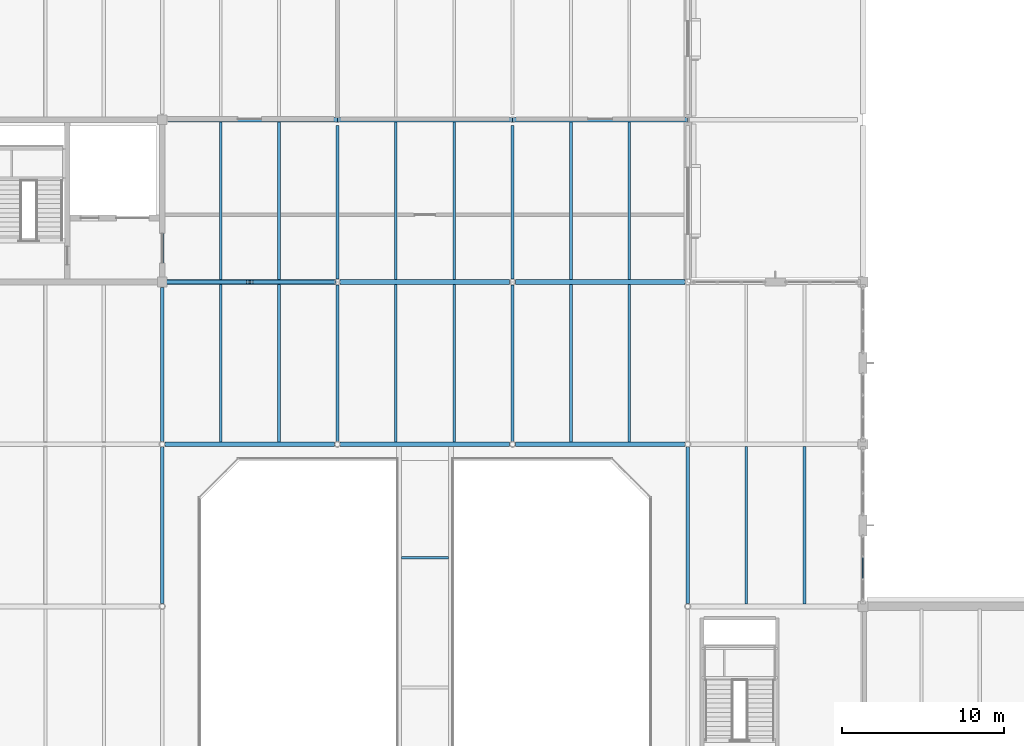
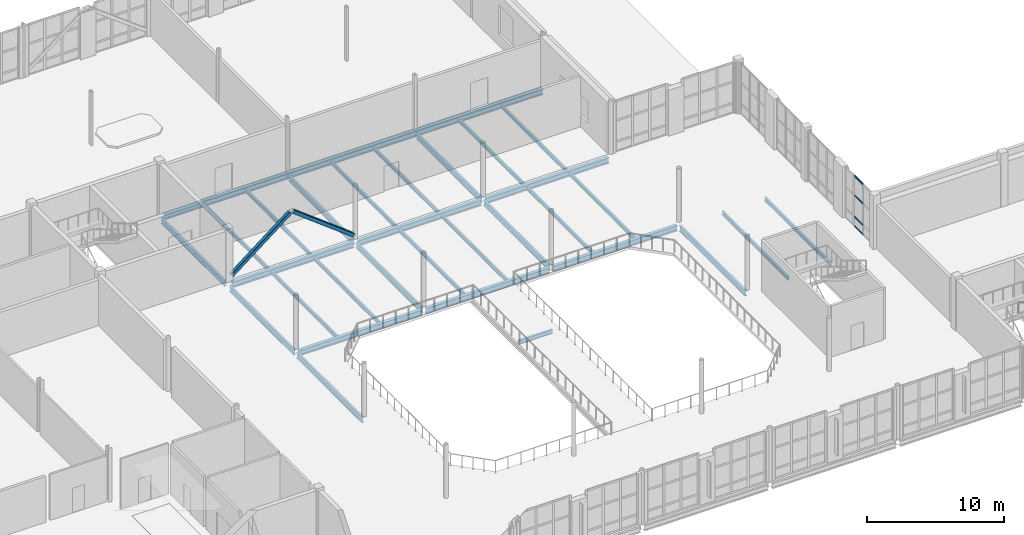
# One storey, part 50 of 100: 32 beams, 6 members, 1 element without a shape of its own.
"""IFC4 building model written with IfcOpenShell, lengths in metres."""

from ifc_helpers import new_model, si_unit, direction, frame, origin, origin_2d, place, context, subcontext, project, spatial, hollow_rectangle, i_section, extrude, material, layer, layer_set, material_profile, profile_set, type_object, element, aggregate, save


model = new_model("IFC4")

# Units and contexts
model_context = context("Model", 3, precision=1e-05, world=origin(), true_north=direction((0.0, 1.0)))
body_context = subcontext(model_context, "Body", "Model", "MODEL_VIEW")
ifc_project = project(units=[si_unit("LENGTHUNIT", "METRE"), si_unit("AREAUNIT", "SQUARE_METRE"), si_unit("VOLUMEUNIT", "CUBIC_METRE"), si_unit("PLANEANGLEUNIT", "RADIAN"), si_unit("MASSUNIT", "GRAM", prefix="KILO")], contexts=[model_context])

# Site, building, storey
site_placement = place(None, origin())
site = spatial("IfcSite", under=ifc_project, at=site_placement, CompositionType="ELEMENT")
building_placement = place(site_placement, origin())
building = spatial("IfcBuilding", under=site, at=building_placement, Name="Tasgan Crest Museum", CompositionType="ELEMENT")
storey_placement = place(building_placement, frame((0.0, 0.0, 9.60009765625)))
storey = spatial("IfcBuildingStorey", under=building, at=storey_placement, Name="L02", CompositionType="ELEMENT", Elevation=9.60009765625)

# Beams
ifc_material_1 = material(Name="Steel S355J2", Category="steel")
ifc_material_profile_1 = material_profile(ifc_material_1, i_section(OverallWidth=0.300048828125, OverallDepth=0.489990234375, WebThickness=0.011962890625, FlangeThickness=0.02294921875, FilletRadius=0.027099609375, at=origin_2d()), Name="HEA 500")
ifc_profile_set_1 = profile_set([ifc_material_profile_1], Name="Steel S355J2")
beam_type_1 = type_object("IfcBeamType", Name="BM-G-HEA500", PredefinedType="BEAM", material=ifc_profile_set_1)
beam_1_placement = place(storey_placement, frame((64.973876953125, 72.0, -0.485107421875), z_axis=(1.0, 0.0, 0.0), x_axis=(0.0, 1.0, 0.0)))
element("IfcBeam", 1, at=beam_1_placement, inside=storey, type_object=beam_type_1, Name="Girder L02 H 64.8-75.6", PredefinedType="BEAM", context=body_context, shape_type="SweptSolid", body=[
    extrude(i_section(OverallWidth=0.300048828125, OverallDepth=0.489990234375, WebThickness=0.011962890625, FlangeThickness=0.02294921875, FilletRadius=0.027099609375, at=origin_2d()), origin(), (0.0, 0.0, 1.0), 10.452392578125),
])
beam_2_placement = place(storey_placement, frame((75.773681640625, 72.0, -0.485107421875), z_axis=(1.0, 0.0, 0.0), x_axis=(0.0, 1.0, 0.0)))
element("IfcBeam", 2, at=beam_2_placement, inside=storey, type_object=beam_type_1, Name="Girder L02 H 75.6-86.4", PredefinedType="BEAM", context=body_context, shape_type="SweptSolid", body=[
    extrude(i_section(OverallWidth=0.300048828125, OverallDepth=0.489990234375, WebThickness=0.011962890625, FlangeThickness=0.02294921875, FilletRadius=0.027099609375, at=origin_2d()), origin(), (0.0, 0.0, 1.0), 10.45263671875),
])
beam_3_placement = place(storey_placement, frame((86.57373046875, 72.0, -0.485107421875), z_axis=(1.0, 0.0, 0.0), x_axis=(0.0, 1.0, 0.0)))
element("IfcBeam", 3, at=beam_3_placement, inside=storey, type_object=beam_type_1, Name="Girder L02 H 86.4-97.2", PredefinedType="BEAM", context=body_context, shape_type="SweptSolid", body=[
    extrude(i_section(OverallWidth=0.300048828125, OverallDepth=0.489990234375, WebThickness=0.011962890625, FlangeThickness=0.02294921875, FilletRadius=0.027099609375, at=origin_2d()), origin(), (0.0, 0.0, 1.0), 10.452392578125),
])
beam_4_placement = place(storey_placement, frame((65.14599609375, 92.0, -0.485107421875), z_axis=(1.0, 0.0, 0.0), x_axis=(0.0, 1.0, 0.0)))
element("IfcBeam", 4, at=beam_4_placement, inside=storey, type_object=beam_type_1, Name="Girder L02 K 64.8-75.6", PredefinedType="BEAM", context=body_context, shape_type="SweptSolid", body=[
    extrude(i_section(OverallWidth=0.300048828125, OverallDepth=0.489990234375, WebThickness=0.011962890625, FlangeThickness=0.02294921875, FilletRadius=0.027099609375, at=origin_2d()), origin(), (0.0, 0.0, 1.0), 10.44873046875),
])
for number, where, z_axis, x_axis, name in (
    (5, (75.605224609375, 92.0, -0.485107421875), (1.0, 0.0, 0.0), (0.0, 1.0, 0.0), "Girder L02 K 75.6-86.4"),
    (6, (86.4052734375, 92.0, -0.485107421875), (1.0, 0.0, 0.0), (0.0, 1.0, 0.0), "Girder L02 K 86.4-97.2"),
):
    element("IfcBeam", number, at=place(storey_placement, frame(where, z_axis=z_axis, x_axis=x_axis)), inside=storey, type_object=beam_type_1, Name=name, PredefinedType="BEAM", context=body_context, shape_type="SweptSolid", body=[
        extrude(i_section(OverallWidth=0.300048828125, OverallDepth=0.489990234375, WebThickness=0.011962890625, FlangeThickness=0.02294921875, FilletRadius=0.027099609375, at=origin_2d()), origin(), (0.0, 0.0, 1.0), 10.78955078125),
    ])
ifc_material_2 = material(Name="Steel S355J2", Category="steel")
ifc_material_profile_2 = material_profile(ifc_material_2, i_section(OverallWidth=0.300048828125, OverallDepth=0.5, WebThickness=0.014404296875, FlangeThickness=0.028076171875, FilletRadius=0.027099609375, at=origin_2d()), Name="HEB 500")
ifc_profile_set_2 = profile_set([ifc_material_profile_2], Name="Steel S355J2")
beam_type_2 = type_object("IfcBeamType", Name="BM-G-HEB500", PredefinedType="BEAM", material=ifc_profile_set_2)
beam_5_placement = place(storey_placement, frame((65.14599609375, 82.0, -0.489990234375), z_axis=(1.0, 0.0, 0.0), x_axis=(0.0, 1.0, 0.0)))
element("IfcBeam", 7, at=beam_5_placement, inside=storey, type_object=beam_type_2, Name="Girder L02 J 64.8-75.6", PredefinedType="BEAM", context=body_context, shape_type="SweptSolid", body=[
    extrude(i_section(OverallWidth=0.300048828125, OverallDepth=0.5, WebThickness=0.014404296875, FlangeThickness=0.028076171875, FilletRadius=0.027099609375, at=origin_2d()), origin(), (0.0, 0.0, 1.0), 10.2802734375),
])
beam_6_placement = place(storey_placement, frame((75.773681640625, 82.0, -0.489990234375), z_axis=(1.0, 0.0, 0.0), x_axis=(0.0, 1.0, 0.0)))
element("IfcBeam", 8, at=beam_6_placement, inside=storey, type_object=beam_type_2, Name="Girder L02 J 75.6-86.4", PredefinedType="BEAM", context=body_context, shape_type="SweptSolid", body=[
    extrude(i_section(OverallWidth=0.300048828125, OverallDepth=0.5, WebThickness=0.014404296875, FlangeThickness=0.028076171875, FilletRadius=0.027099609375, at=origin_2d()), origin(), (0.0, 0.0, 1.0), 10.45263671875),
])
beam_7_placement = place(storey_placement, frame((86.57373046875, 82.0, -0.489990234375), z_axis=(1.0, 0.0, 0.0), x_axis=(0.0, 1.0, 0.0)))
element("IfcBeam", 9, at=beam_7_placement, inside=storey, type_object=beam_type_2, Name="Girder L02 J 86.4-97.2", PredefinedType="BEAM", context=body_context, shape_type="SweptSolid", body=[
    extrude(i_section(OverallWidth=0.300048828125, OverallDepth=0.5, WebThickness=0.014404296875, FlangeThickness=0.028076171875, FilletRadius=0.027099609375, at=origin_2d()), origin(), (0.0, 0.0, 1.0), 10.452392578125),
])
ifc_material_3 = material(Name="Steel S355J2", Category="steel")
ifc_material_profile_3 = material_profile(ifc_material_3, i_section(OverallWidth=0.199951171875, OverallDepth=0.5, WebThickness=0.01025390625, FlangeThickness=0.01611328125, FilletRadius=0.02099609375, at=origin_2d()), Name="IPE 500")
ifc_profile_set_3 = profile_set([ifc_material_profile_3], Name="Steel S355J2")
beam_type_3 = type_object("IfcBeamType", Name="BM-G-IPE500", PredefinedType="BEAM", material=ifc_profile_set_3)
beam_8_placement = place(storey_placement, frame((64.800048828125, 62.1728515625, -0.489990234375), z_axis=(0.0, 1.0, 0.0), x_axis=(-1.0, 0.0, 0.0)))
element("IfcBeam", 10, at=beam_8_placement, inside=storey, type_object=beam_type_3, Name="Beam L02 7 62.0-72.0", PredefinedType="BEAM", context=body_context, shape_type="SweptSolid", body=[
    extrude(i_section(OverallWidth=0.199951171875, OverallDepth=0.5, WebThickness=0.01025390625, FlangeThickness=0.01611328125, FilletRadius=0.02099609375, at=origin_2d()), origin(), (0.0, 0.0, 1.0), 9.654296875),
])
beam_9_placement = place(storey_placement, frame((64.800048828125, 72.1728515625, -0.489990234375), z_axis=(0.0, 1.0, 0.0), x_axis=(-1.0, 0.0, 0.0)))
element("IfcBeam", 11, at=beam_9_placement, inside=storey, type_object=beam_type_3, Name="Beam L02 7 72.0-82.0", PredefinedType="BEAM", context=body_context, shape_type="SweptSolid", body=[
    extrude(i_section(OverallWidth=0.199951171875, OverallDepth=0.5, WebThickness=0.01025390625, FlangeThickness=0.01611328125, FilletRadius=0.02099609375, at=origin_2d()), origin(), (0.0, 0.0, 1.0), 9.482177734375),
])
beam_10_placement = place(storey_placement, frame((64.800048828125, 82.344970703125, -0.489990234375), z_axis=(0.0, 1.0, 0.0), x_axis=(-1.0, 0.0, 0.0)))
element("IfcBeam", 12, at=beam_10_placement, inside=storey, type_object=beam_type_3, Name="Beam L02 7 82.0-92.0", PredefinedType="BEAM", context=body_context, shape_type="SweptSolid", body=[
    extrude(i_section(OverallWidth=0.199951171875, OverallDepth=0.5, WebThickness=0.01025390625, FlangeThickness=0.01611328125, FilletRadius=0.02099609375, at=origin_2d()), origin(), (0.0, 0.0, 1.0), 9.31005859375),
])
beam_11_placement = place(storey_placement, frame((75.60009765625, 72.1728515625, -0.489990234375), z_axis=(0.0, 1.0, 0.0), x_axis=(-1.0, 0.0, 0.0)))
element("IfcBeam", 13, at=beam_11_placement, inside=storey, type_object=beam_type_3, Name="Beam L02 8 72.0-82.0", PredefinedType="BEAM", context=body_context, shape_type="SweptSolid", body=[
    extrude(i_section(OverallWidth=0.199951171875, OverallDepth=0.5, WebThickness=0.01025390625, FlangeThickness=0.01611328125, FilletRadius=0.02099609375, at=origin_2d()), origin(), (0.0, 0.0, 1.0), 9.654296875),
])
beam_12_placement = place(storey_placement, frame((75.60009765625, 82.1728515625, -0.489990234375), z_axis=(0.0, 1.0, 0.0), x_axis=(-1.0, 0.0, 0.0)))
element("IfcBeam", 14, at=beam_12_placement, inside=storey, type_object=beam_type_3, Name="Beam L02 8 82.0-92.0", PredefinedType="BEAM", context=body_context, shape_type="SweptSolid", body=[
    extrude(i_section(OverallWidth=0.199951171875, OverallDepth=0.5, WebThickness=0.01025390625, FlangeThickness=0.01611328125, FilletRadius=0.02099609375, at=origin_2d()), origin(), (0.0, 0.0, 1.0), 9.487060546875),
])
beam_13_placement = place(storey_placement, frame((86.39990234375, 72.1728515625, -0.489990234375), z_axis=(0.0, 1.0, 0.0), x_axis=(-1.0, 0.0, 0.0)))
element("IfcBeam", 15, at=beam_13_placement, inside=storey, type_object=beam_type_3, Name="Beam L02 9 72.0-82.0", PredefinedType="BEAM", context=body_context, shape_type="SweptSolid", body=[
    extrude(i_section(OverallWidth=0.199951171875, OverallDepth=0.5, WebThickness=0.01025390625, FlangeThickness=0.01611328125, FilletRadius=0.02099609375, at=origin_2d()), origin(), (0.0, 0.0, 1.0), 9.654296875),
])
beam_14_placement = place(storey_placement, frame((86.39990234375, 82.1728515625, -0.489990234375), z_axis=(0.0, 1.0, 0.0), x_axis=(-1.0, 0.0, 0.0)))
element("IfcBeam", 16, at=beam_14_placement, inside=storey, type_object=beam_type_3, Name="Beam L02 9 82.0-92.0", PredefinedType="BEAM", context=body_context, shape_type="SweptSolid", body=[
    extrude(i_section(OverallWidth=0.199951171875, OverallDepth=0.5, WebThickness=0.01025390625, FlangeThickness=0.01611328125, FilletRadius=0.02099609375, at=origin_2d()), origin(), (0.0, 0.0, 1.0), 9.487060546875),
])
beam_15_placement = place(storey_placement, frame((97.199951171875, 62.1728515625, -0.489990234375), z_axis=(0.0, 1.0, 0.0), x_axis=(-1.0, 0.0, 0.0)))
element("IfcBeam", 17, at=beam_15_placement, inside=storey, type_object=beam_type_3, Name="Beam L02 10 62.0-72.0", PredefinedType="BEAM", context=body_context, shape_type="SweptSolid", body=[
    extrude(i_section(OverallWidth=0.199951171875, OverallDepth=0.5, WebThickness=0.01025390625, FlangeThickness=0.01611328125, FilletRadius=0.02099609375, at=origin_2d()), origin(), (0.0, 0.0, 1.0), 9.654296875),
])
ifc_material_4 = material(Name="Steel S355J2", Category="steel")
ifc_material_profile_4 = material_profile(ifc_material_4, i_section(OverallWidth=0.159912109375, OverallDepth=0.330078125, WebThickness=0.007568359375, FlangeThickness=0.011474609375, FilletRadius=0.01806640625, at=origin_2d()), Name="IPE 330")
ifc_profile_set_4 = profile_set([ifc_material_profile_4], Name="Steel S355J2")
beam_type_4 = type_object("IfcBeamType", Name="BM-J-IPE330", PredefinedType="JOIST", material=ifc_profile_set_4)
for number, where, z_axis, x_axis, name in (
    (18, (68.39990234375, 72.14501953125, -0.405029296875), (0.0, 1.0, 0.0), (-1.0, 0.0, 0.0), "Secondary joist L02 X=68.4 Y=72.0-82.0"),
    (19, (72.0, 72.14501953125, -0.405029296875), (0.0, 1.0, 0.0), (-1.0, 0.0, 0.0), "Secondary joist L02 X=72.0 Y=72.0-82.0"),
    (20, (68.39990234375, 82.14501953125, -0.405029296875), (0.0, 1.0, 0.0), (-1.0, 0.0, 0.0), "Secondary joist L02 X=68.4 Y=82.0-92.0"),
    (21, (72.0, 82.14501953125, -0.405029296875), (0.0, 1.0, 0.0), (-1.0, 0.0, 0.0), "Secondary joist L02 X=72.0 Y=82.0-92.0"),
    (22, (79.199951171875, 72.14501953125, -0.405029296875), (0.0, 1.0, 0.0), (-1.0, 0.0, 0.0), "Secondary joist L02 X=79.2 Y=72.0-82.0"),
    (23, (82.800048828125, 72.14501953125, -0.405029296875), (0.0, 1.0, 0.0), (-1.0, 0.0, 0.0), "Secondary joist L02 X=82.8 Y=72.0-82.0"),
    (24, (79.199951171875, 82.14501953125, -0.405029296875), (0.0, 1.0, 0.0), (-1.0, 0.0, 0.0), "Secondary joist L02 X=79.2 Y=82.0-92.0"),
    (25, (82.800048828125, 82.14501953125, -0.405029296875), (0.0, 1.0, 0.0), (-1.0, 0.0, 0.0), "Secondary joist L02 X=82.8 Y=82.0-92.0"),
    (26, (90.0, 72.14501953125, -0.405029296875), (0.0, 1.0, 0.0), (-1.0, 0.0, 0.0), "Secondary joist L02 X=90.0 Y=72.0-82.0"),
    (27, (93.60009765625, 72.14501953125, -0.405029296875), (0.0, 1.0, 0.0), (-1.0, 0.0, 0.0), "Secondary joist L02 X=93.6 Y=72.0-82.0"),
    (28, (90.0, 82.14501953125, -0.405029296875), (0.0, 1.0, 0.0), (-1.0, 0.0, 0.0), "Secondary joist L02 X=90.0 Y=82.0-92.0"),
    (29, (93.60009765625, 82.14501953125, -0.405029296875), (0.0, 1.0, 0.0), (-1.0, 0.0, 0.0), "Secondary joist L02 X=93.6 Y=82.0-92.0"),
    (30, (100.800048828125, 62.14501953125, -0.405029296875), (0.0, 1.0, 0.0), (-1.0, 0.0, 0.0), "Secondary joist L02 X=100.8 Y=62.0-72.0"),
    (31, (104.39990234375, 62.14501953125, -0.405029296875), (0.0, 1.0, 0.0), (-1.0, 0.0, 0.0), "Secondary joist L02 X=104.4 Y=62.0-72.0"),
):
    element("IfcBeam", number, at=place(storey_placement, frame(where, z_axis=z_axis, x_axis=x_axis)), inside=storey, type_object=beam_type_4, Name=name, PredefinedType="JOIST", context=body_context, shape_type="SweptSolid", body=[
        extrude(i_section(OverallWidth=0.159912109375, OverallDepth=0.330078125, WebThickness=0.007568359375, FlangeThickness=0.011474609375, FilletRadius=0.01806640625, at=origin_2d()), origin(), (0.0, 0.0, 1.0), 9.7099609375),
    ])
ifc_material_5 = material(Name="Steel S355J2", Category="steel")
ifc_material_profile_5 = material_profile(ifc_material_5, i_section(OverallWidth=0.169921875, OverallDepth=0.360107421875, WebThickness=0.008056640625, FlangeThickness=0.0126953125, FilletRadius=0.01806640625, at=origin_2d()), Name="IPE 360")
ifc_profile_set_5 = profile_set([ifc_material_profile_5], Name="Steel S355J2")
beam_type_5 = type_object("IfcBeamType", Name="BM-J-IPE360", PredefinedType="JOIST", material=ifc_profile_set_5)
beam_16_placement = place(storey_placement, frame((79.550048828125, 65.0, -0.420166015625), z_axis=(1.0, 0.0, 0.0), x_axis=(0.0, 1.0, 0.0)))
element("IfcBeam", 32, at=beam_16_placement, inside=storey, type_object=beam_type_5, Name="Atrium bridge crossbeam L02 Y=65", PredefinedType="JOIST", context=body_context, shape_type="SweptSolid", body=[
    extrude(i_section(OverallWidth=0.169921875, OverallDepth=0.360107421875, WebThickness=0.008056640625, FlangeThickness=0.0126953125, FilletRadius=0.01806640625, at=origin_2d()), origin(), (0.0, 0.0, 1.0), 2.89990234375),
])

# Curtain wall, members
ifc_material_6 = material(Name="Triple-Glazed Aluminium Curtain Wall", Category="aluminium")
ifc_layer = layer(ifc_material_6, 0.179931640625, Name="CW-DRUM-Y10-48")
ifc_layer_set = layer_set([ifc_layer], Name="Triple-Glazed Aluminium Curtain Wall")
curtain_wall_type = type_object("IfcCurtainWallType", Name="CW-DRUM-Y10-48", PredefinedType="NOTDEFINED", material=ifc_layer_set)
curtain_wall_placement = place(storey_placement, origin())
curtain_wall = element("IfcCurtainWall", 33, at=curtain_wall_placement, inside=storey, type_object=curtain_wall_type, Name="Curtain wall L02 075", PredefinedType="NOTDEFINED")
ifc_material_7 = material(Name="Anodised Aluminium", Category="aluminium")
ifc_material_profile_6 = material_profile(ifc_material_7, hollow_rectangle(XDim=0.06005859375, YDim=0.14990234375, WallThickness=0.0048828125, at=origin_2d()), Name="ALU TRANSOM 150x60x5")
ifc_profile_set_6 = profile_set([ifc_material_profile_6], Name="Anodised Aluminium")
member_type_1 = type_object("IfcMemberType", Name="CW-TRANSOM-150", PredefinedType="USERDEFINED", material=ifc_profile_set_6)
member_1_placement = place(storey_placement, frame((108.0, 63.72509765625, 0.02978515625), z_axis=(0.0, 1.0, 0.0), x_axis=(-1.0, 0.0, 0.0)))
member_1 = element("IfcMember", 34, at=member_1_placement, type_object=member_type_1, Name="CW04 transom 2.1", ObjectType="TRANSOM", PredefinedType="USERDEFINED", context=body_context, shape_type="SweptSolid", body=[
    extrude(hollow_rectangle(XDim=0.06005859375, YDim=0.14990234375, WallThickness=0.0048828125, at=origin_2d()), origin(), (0.0, 0.0, 1.0), 1.27001953125),
])
member_2_placement = place(storey_placement, frame((108.0, 63.72509765625, 0.89990234375), z_axis=(0.0, 1.0, 0.0), x_axis=(-1.0, 0.0, 0.0)))
member_2 = element("IfcMember", 35, at=member_2_placement, type_object=member_type_1, Name="CW04 transom 2.2", ObjectType="TRANSOM", PredefinedType="USERDEFINED", context=body_context, shape_type="SweptSolid", body=[
    extrude(hollow_rectangle(XDim=0.06005859375, YDim=0.14990234375, WallThickness=0.0048828125, at=origin_2d()), origin(), (0.0, 0.0, 1.0), 1.27001953125),
])
member_3_placement = place(storey_placement, frame((108.0, 63.72509765625, 2.7998046875), z_axis=(0.0, 1.0, 0.0), x_axis=(-1.0, 0.0, 0.0)))
member_3 = element("IfcMember", 36, at=member_3_placement, type_object=member_type_1, Name="CW04 transom 2.3", ObjectType="TRANSOM", PredefinedType="USERDEFINED", context=body_context, shape_type="SweptSolid", body=[
    extrude(hollow_rectangle(XDim=0.06005859375, YDim=0.14990234375, WallThickness=0.0048828125, at=origin_2d()), origin(), (0.0, 0.0, 1.0), 1.27001953125),
])
member_4_placement = place(storey_placement, frame((108.0, 63.72509765625, 4.52978515625), z_axis=(0.0, 1.0, 0.0), x_axis=(-1.0, 0.0, 0.0)))
member_4 = element("IfcMember", 37, at=member_4_placement, type_object=member_type_1, Name="CW04 transom 2.4", ObjectType="TRANSOM", PredefinedType="USERDEFINED", context=body_context, shape_type="SweptSolid", body=[
    extrude(hollow_rectangle(XDim=0.06005859375, YDim=0.14990234375, WallThickness=0.0048828125, at=origin_2d()), origin(), (0.0, 0.0, 1.0), 1.27001953125),
])
aggregate(curtain_wall, [member_1, member_2, member_3, member_4])

# Members
ifc_material_8 = material(Name="Steel S355K2", Category="steel")
ifc_material_profile_7 = material_profile(ifc_material_8, hollow_rectangle(XDim=0.300048828125, YDim=0.300048828125, WallThickness=0.01611328125, InnerFilletRadius=0.01611328125, OuterFilletRadius=0.031982421875, at=origin_2d()), Name="SHS 300x300x16")
ifc_profile_set_7 = profile_set([ifc_material_profile_7], Name="Steel S355K2")
member_type_2 = type_object("IfcMemberType", Name="MEM-BR-SHS300", PredefinedType="BRACE", material=ifc_profile_set_7)
member_5_placement = place(storey_placement, frame((65.10009765625, 82.0, 0.349853515625), z_axis=(0.78729237904, 0.0, 0.616579848767), x_axis=(0.0, 1.0, 0.0)))
element("IfcMember", 38, at=member_5_placement, inside=storey, type_object=member_type_2, Name="Chevron brace L L02 J 64.8", PredefinedType="BRACE", context=body_context, shape_type="SweptSolid", body=[
    extrude(hollow_rectangle(XDim=0.300048828125, YDim=0.300048828125, WallThickness=0.01611328125, InnerFilletRadius=0.01611328125, OuterFilletRadius=0.031982421875, at=origin_2d()), origin(), (0.0, 0.0, 1.0), 6.325439453125),
])
member_6_placement = place(storey_placement, frame((75.422119140625, 82.0, 0.349853515625), z_axis=(-0.794464648158, 0.0, 0.607310400724), x_axis=(0.0, -1.0, 0.0)))
element("IfcMember", 39, at=member_6_placement, inside=storey, type_object=member_type_2, Name="Chevron brace R L02 J 75.6", PredefinedType="BRACE", context=body_context, shape_type="SweptSolid", body=[
    extrude(hollow_rectangle(XDim=0.300048828125, YDim=0.300048828125, WallThickness=0.01611328125, InnerFilletRadius=0.01611328125, OuterFilletRadius=0.031982421875, at=origin_2d()), origin(), (0.0, 0.0, 1.0), 6.422119140625),
])

save(model, "model.ifc")
